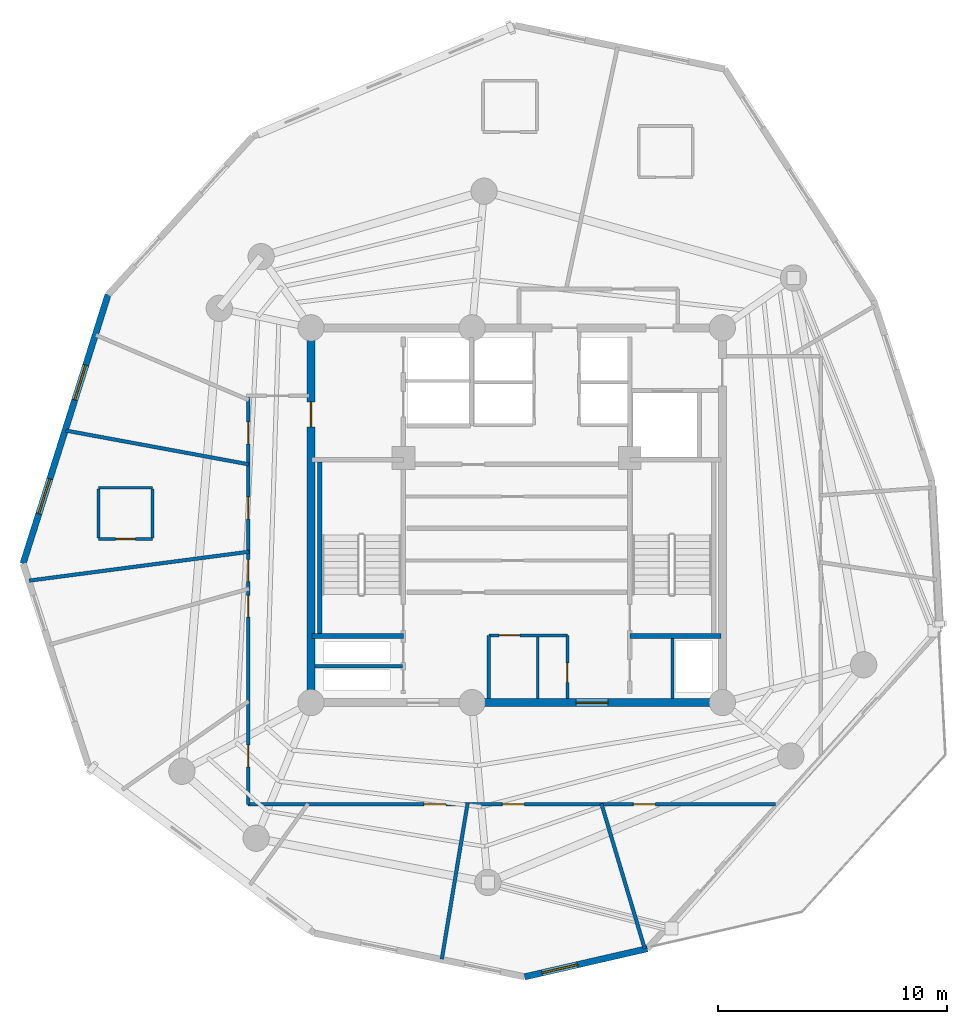
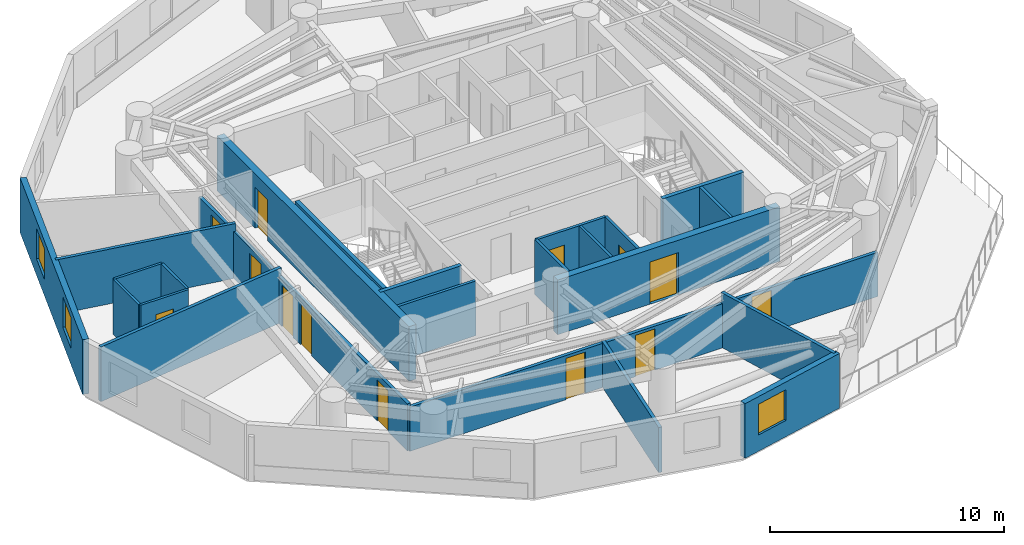
# One storey, part 3 of 9: 23 walls, 13 doors, 3 windows, 16 openings.
"""IFC4 building model written with IfcOpenShell, lengths in metres."""

from ifc_helpers import new_model, si_unit, direction, frame, frame_2d, origin, origin_with_axes, place, context, subcontext, project, spatial, rectangle, extrude, source, transform, mapped, material, layer, layer_set, type_object, element, fill, save


model = new_model("IFC4")

# Units and contexts
model_context = context("Model", 3, precision=1e-05, world=origin(), true_north=direction((0.0, 1.0)))
body_context = subcontext(model_context, "Body", "Model", "MODEL_VIEW")
ifc_project = project(units=[si_unit("LENGTHUNIT", "METRE"), si_unit("AREAUNIT", "SQUARE_METRE"), si_unit("VOLUMEUNIT", "CUBIC_METRE"), si_unit("PLANEANGLEUNIT", "RADIAN"), si_unit("MASSUNIT", "GRAM", prefix="KILO")], contexts=[model_context])

# Site, building, storey
site_placement = place(None, origin())
site = spatial("IfcSite", under=ifc_project, at=site_placement, CompositionType="ELEMENT")
building_placement = place(site_placement, origin())
building = spatial("IfcBuilding", under=site, at=building_placement, Name="Karkom Vertical University and Central Library", CompositionType="ELEMENT")
storey_placement = place(building_placement, frame((0.0, 0.0, 232.14990234375)))
storey = spatial("IfcBuildingStorey", under=building, at=storey_placement, Name="L68", CompositionType="ELEMENT", Elevation=232.14990234375)

# Wall, opening, window
ifc_material_1 = material(Name="Brick-faced precast concrete C45/55", Category="masonry")
ifc_layer_1 = layer(ifc_material_1, 0.280029296875)
ifc_layer_set_1 = layer_set([ifc_layer_1], Name="Brick-faced precast concrete C45/55")
wall_type_1 = type_object("IfcWallType", Name="ENV-WL-BRK-280", PredefinedType="SOLIDWALL", material=ifc_layer_set_1)
wall_1_placement = place(storey_placement, frame((28.848388671875, 6.30029296875, 0.0), z_axis=(0.0, 0.0, 1.0), x_axis=(0.974640780673, 0.223775219023, 0.0)))
wall_1 = element("IfcWall", 1, at=wall_1_placement, inside=storey, type_object=wall_type_1, Name="Level 68 Brick-Faced Precast Facade Wall 03", PredefinedType="SOLIDWALL", context=body_context, shape_type="SweptSolid", body=[
    extrude(rectangle(XDim=5.509521484375, YDim=0.280029296875, at=frame_2d((2.7548828125, 0.0))), origin(), (0.0, 0.0, 1.0), 2.85009765625),
])
opening_1_placement = place(wall_1_placement, frame((0.776611328125, 0.0, 0.85009765625)))
opening_1 = element("IfcOpeningElement", 2, at=opening_1_placement, cuts=wall_1, Name="Opening WN-10", PredefinedType="OPENING", context=body_context, shape_type="SweptSolid", body=[
    extrude(rectangle(XDim=1.60009765625, YDim=1.60009765625, at=frame_2d((0.800048828125, 0.800048828125))), frame((0.0, 0.14990234375, 0.0), z_axis=(0.0, -1.0, 0.0), x_axis=(1.0, 0.0, 0.0)), (0.0, 0.0, 1.0), 0.300048828125),
])
ifc_material_2 = material(Name="Aluminium thermal-break frame with solar-control IGU", Category="aluminium")
window_type = type_object("IfcWindowType", Name="ENV-WIN-WN-10", PartitioningType="SINGLE_PANEL", PredefinedType="WINDOW", material=ifc_material_2)
shared_shape_1 = source(origin_with_axes(), body_context, "Body", "SweptSolid", [
    extrude(rectangle(XDim=1.60009765625, YDim=1.60009765625, at=frame_2d((0.800048828125, 0.800048828125))), frame((0.0, 0.030029296875, 0.0), z_axis=(0.0, -1.0, 0.0), x_axis=(1.0, 0.0, 0.0)), (0.0, 0.0, 1.0), 0.06005859375),
])
window_1_placement = place(opening_1_placement, origin())
window_1 = element("IfcWindow", 3, at=window_1_placement, inside=storey, type_object=window_type, Name="Level 68 Punched Window 3.1", OverallHeight=1.60009765625, OverallWidth=1.60009765625, PartitioningType="SINGLE_PANEL", PredefinedType="WINDOW", context=body_context, shape_type="MappedRepresentation", body=[
    mapped(shared_shape_1, transform((0.0, 0.0, 0.0), scale=1.0)),
])
fill(opening_1, window_1)

# Wall, openings, windows
wall_2_placement = place(storey_placement, frame((10.62060546875, 36.152099609375, 0.0), z_axis=(0.0, 0.0, 1.0), x_axis=(-0.301293253661, -0.953531528214, 0.0)))
wall_2 = element("IfcWall", 4, at=wall_2_placement, inside=storey, type_object=wall_type_1, Name="Level 68 Brick-Faced Precast Facade Wall 11", PredefinedType="SOLIDWALL", context=body_context, shape_type="SweptSolid", body=[
    extrude(rectangle(XDim=12.341796875, YDim=0.280029296875, at=frame_2d((6.1708984375, 0.0))), origin(), (0.0, 0.0, 1.0), 2.85009765625),
])
opening_2_placement = place(wall_2_placement, frame((3.2392578125, 0.0, 0.85009765625)))
opening_2 = element("IfcOpeningElement", 5, at=opening_2_placement, cuts=wall_2, Name="Opening WN-10", PredefinedType="OPENING", context=body_context, shape_type="SweptSolid", body=[
    extrude(rectangle(XDim=1.60009765625, YDim=1.60009765625, at=frame_2d((0.800048828125, 0.800048828125))), frame((0.0, 0.14990234375, 0.0), z_axis=(0.0, -1.0, 0.0), x_axis=(1.0, 0.0, 0.0)), (0.0, 0.0, 1.0), 0.300048828125),
])
opening_3_placement = place(wall_2_placement, frame((8.45361328125, 0.0, 0.85009765625)))
opening_3 = element("IfcOpeningElement", 6, at=opening_3_placement, cuts=wall_2, Name="Opening WN-10", PredefinedType="OPENING", context=body_context, shape_type="SweptSolid", body=[
    extrude(rectangle(XDim=1.60009765625, YDim=1.60009765625, at=frame_2d((0.800048828125, 0.800048828125))), frame((0.0, 0.14990234375, 0.0), z_axis=(0.0, -1.0, 0.0), x_axis=(1.0, 0.0, 0.0)), (0.0, 0.0, 1.0), 0.300048828125),
])
window_2_placement = place(opening_2_placement, origin())
window_2 = element("IfcWindow", 7, at=window_2_placement, inside=storey, type_object=window_type, Name="Level 68 Punched Window 11.1", OverallHeight=1.60009765625, OverallWidth=1.60009765625, PartitioningType="SINGLE_PANEL", PredefinedType="WINDOW", context=body_context, shape_type="MappedRepresentation", body=[
    mapped(shared_shape_1, transform((0.0, 0.0, 0.0), scale=1.0)),
])
fill(opening_2, window_2)
window_3_placement = place(opening_3_placement, origin())
window_3 = element("IfcWindow", 8, at=window_3_placement, inside=storey, type_object=window_type, Name="Level 68 Punched Window 11.2", OverallHeight=1.60009765625, OverallWidth=1.60009765625, PartitioningType="SINGLE_PANEL", PredefinedType="WINDOW", context=body_context, shape_type="MappedRepresentation", body=[
    mapped(shared_shape_1, transform((0.0, 0.0, 0.0), scale=1.0)),
])
fill(opening_3, window_3)

# Wall, openings, doors
ifc_material_3 = material(Name="Insulated metal-stud drywall 160mm", Category="gypsum")
ifc_layer_2 = layer(ifc_material_3, 0.159912109375)
ifc_layer_set_2 = layer_set([ifc_layer_2], Name="Insulated metal-stud drywall 160mm")
wall_type_2 = type_object("IfcWallType", Name="INT-WL-COR-160", PredefinedType="PARTITIONING", material=ifc_layer_set_2)
wall_3_placement = place(storey_placement, frame((39.81982421875, 13.85009765625, 0.0), z_axis=(0.0, 0.0, 1.0), x_axis=(-1.0, 0.0, 0.0)))
wall_3 = element("IfcWall", 9, at=wall_3_placement, inside=storey, type_object=wall_type_2, Name="Level 68 Interior Partition Wall L68-CORW-CW-001", PredefinedType="PARTITIONING", context=body_context, shape_type="SweptSolid", body=[
    extrude(rectangle(XDim=23.06982421875, YDim=0.159912109375, at=frame_2d((11.534912109375, 0.0))), origin(), (0.0, 0.0, 1.0), 2.300048828125),
])
opening_4_placement = place(wall_3_placement, frame((14.422607421875, 0.0, 0.0)))
opening_4 = element("IfcOpeningElement", 10, at=opening_4_placement, cuts=wall_3, Name="Opening FD-RM2", PredefinedType="OPENING", context=body_context, shape_type="SweptSolid", body=[
    extrude(rectangle(XDim=0.9599609375, YDim=2.14990234375, at=frame_2d((0.47998046875, 1.074951171875))), frame((0.0, 0.08984375, 0.0), z_axis=(0.0, -1.0, 0.0), x_axis=(1.0, 0.0, 0.0)), (0.0, 0.0, 1.0), 0.179931640625),
])
opening_5_placement = place(wall_3_placement, frame((10.984619140625, 0.0, 0.0)))
opening_5 = element("IfcOpeningElement", 11, at=opening_5_placement, cuts=wall_3, Name="Opening FD-RM2", PredefinedType="OPENING", context=body_context, shape_type="SweptSolid", body=[
    extrude(rectangle(XDim=0.9599609375, YDim=2.14990234375, at=frame_2d((0.47998046875, 1.074951171875))), frame((0.0, 0.08984375, 0.0), z_axis=(0.0, -1.0, 0.0), x_axis=(1.0, 0.0, 0.0)), (0.0, 0.0, 1.0), 0.179931640625),
])
opening_6_placement = place(wall_3_placement, frame((5.2548828125, 0.0, 0.0)))
opening_6 = element("IfcOpeningElement", 12, at=opening_6_placement, cuts=wall_3, Name="Opening FD-RM2", PredefinedType="OPENING", context=body_context, shape_type="SweptSolid", body=[
    extrude(rectangle(XDim=0.9599609375, YDim=2.14990234375, at=frame_2d((0.47998046875, 1.074951171875))), frame((0.0, 0.08984375, 0.0), z_axis=(0.0, -1.0, 0.0), x_axis=(1.0, 0.0, 0.0)), (0.0, 0.0, 1.0), 0.179931640625),
])
ifc_material_4 = material(Name="Fire-rated oak veneer door", Category="wood")
door_type_1 = type_object("IfcDoorType", Name="INT-DR-FRM2", OperationType="NOTDEFINED", PredefinedType="DOOR", material=ifc_material_4)
shared_shape_2 = source(origin_with_axes(), body_context, "Body", "SweptSolid", [
    extrude(rectangle(XDim=0.9599609375, YDim=2.14990234375, at=frame_2d((0.47998046875, 1.074951171875))), frame((0.0, 0.02490234375, 0.0), z_axis=(0.0, -1.0, 0.0), x_axis=(1.0, 0.0, 0.0)), (0.0, 0.0, 1.0), 0.050048828125),
])
door_1_placement = place(opening_4_placement, origin())
door_1 = element("IfcDoor", 13, at=door_1_placement, inside=storey, type_object=door_type_1, Name="Level 68 Room Entry Door 303", OperationType="SINGLE_SWING_LEFT", OverallHeight=2.14990234375, OverallWidth=0.9599609375, PredefinedType="DOOR", context=body_context, shape_type="MappedRepresentation", body=[
    mapped(shared_shape_2, transform((0.0, 0.0, 0.0), scale=1.0)),
])
fill(opening_4, door_1)
door_2_placement = place(opening_5_placement, origin())
door_2 = element("IfcDoor", 14, at=door_2_placement, inside=storey, type_object=door_type_1, Name="Level 68 Room Entry Door 304", OperationType="SINGLE_SWING_RIGHT", OverallHeight=2.14990234375, OverallWidth=0.9599609375, PredefinedType="DOOR", context=body_context, shape_type="MappedRepresentation", body=[
    mapped(shared_shape_2, transform((0.0, 0.0, 0.0), scale=1.0)),
])
fill(opening_5, door_2)
door_3_placement = place(opening_6_placement, origin())
door_3 = element("IfcDoor", 15, at=door_3_placement, inside=storey, type_object=door_type_1, Name="Level 68 Room Entry Door 305", OperationType="SINGLE_SWING_LEFT", OverallHeight=2.14990234375, OverallWidth=0.9599609375, PredefinedType="DOOR", context=body_context, shape_type="MappedRepresentation", body=[
    mapped(shared_shape_2, transform((0.0, 0.0, 0.0), scale=1.0)),
])
fill(opening_6, door_3)

wall_4_placement = place(storey_placement, frame((16.75, 13.85009765625, 0.0), z_axis=(0.0, 0.0, 1.0), x_axis=(0.0, 1.0, 0.0)))
wall_4 = element("IfcWall", 16, at=wall_4_placement, inside=storey, type_object=wall_type_2, Name="Level 68 Interior Partition Wall L68-CORW-CW-002", PredefinedType="PARTITIONING", context=body_context, shape_type="SweptSolid", body=[
    extrude(rectangle(XDim=17.7998046875, YDim=0.159912109375, at=frame_2d((8.89990234375, 0.0))), origin(), (0.0, 0.0, 1.0), 2.4501953125),
])
opening_7_placement = place(wall_4_placement, frame((12.489501953125, 0.0, 0.0)))
opening_7 = element("IfcOpeningElement", 17, at=opening_7_placement, cuts=wall_4, Name="Opening FD-RM2", PredefinedType="OPENING", context=body_context, shape_type="SweptSolid", body=[
    extrude(rectangle(XDim=0.9599609375, YDim=2.14990234375, at=frame_2d((0.47998046875, 1.074951171875))), frame((0.0, 0.08984375, 0.0), z_axis=(0.0, -1.0, 0.0), x_axis=(1.0, 0.0, 0.0)), (0.0, 0.0, 1.0), 0.179931640625),
])
opening_8_placement = place(wall_4_placement, frame((9.7412109375, 0.0, 0.0)))
opening_8 = element("IfcOpeningElement", 18, at=opening_8_placement, cuts=wall_4, Name="Opening FD-RM2", PredefinedType="OPENING", context=body_context, shape_type="SweptSolid", body=[
    extrude(rectangle(XDim=0.9599609375, YDim=2.14990234375, at=frame_2d((0.47998046875, 1.074951171875))), frame((0.0, 0.08984375, 0.0), z_axis=(0.0, -1.0, 0.0), x_axis=(1.0, 0.0, 0.0)), (0.0, 0.0, 1.0), 0.179931640625),
])
opening_9_placement = place(wall_4_placement, frame((8.18505859375, 0.0, 0.0)))
opening_9 = element("IfcOpeningElement", 19, at=opening_9_placement, cuts=wall_4, Name="Opening FD-RM2", PredefinedType="OPENING", context=body_context, shape_type="SweptSolid", body=[
    extrude(rectangle(XDim=0.9599609375, YDim=2.14990234375, at=frame_2d((0.47998046875, 1.074951171875))), frame((0.0, 0.08984375, 0.0), z_axis=(0.0, -1.0, 0.0), x_axis=(1.0, 0.0, 0.0)), (0.0, 0.0, 1.0), 0.179931640625),
])
opening_10_placement = place(wall_4_placement, frame((1.630615234375, 0.0, 0.0)))
opening_10 = element("IfcOpeningElement", 20, at=opening_10_placement, cuts=wall_4, Name="Opening FD-RM2", PredefinedType="OPENING", context=body_context, shape_type="SweptSolid", body=[
    extrude(rectangle(XDim=0.9599609375, YDim=2.14990234375, at=frame_2d((0.47998046875, 1.074951171875))), frame((0.0, 0.08984375, 0.0), z_axis=(0.0, -1.0, 0.0), x_axis=(1.0, 0.0, 0.0)), (0.0, 0.0, 1.0), 0.179931640625),
])
opening_11_placement = place(wall_4_placement, frame((15.775634765625, 0.0, 0.0)))
opening_11 = element("IfcOpeningElement", 21, at=opening_11_placement, cuts=wall_4, Name="Opening FD-RM2", PredefinedType="OPENING", context=body_context, shape_type="SweptSolid", body=[
    extrude(rectangle(XDim=0.9599609375, YDim=2.14990234375, at=frame_2d((0.47998046875, 1.074951171875))), frame((0.0, 0.08984375, 0.0), z_axis=(0.0, -1.0, 0.0), x_axis=(1.0, 0.0, 0.0)), (0.0, 0.0, 1.0), 0.179931640625),
])
door_4_placement = place(opening_7_placement, origin())
door_4 = element("IfcDoor", 22, at=door_4_placement, inside=storey, type_object=door_type_1, Name="Level 68 Room Entry Door 424", OperationType="SINGLE_SWING_LEFT", OverallHeight=2.14990234375, OverallWidth=0.9599609375, PredefinedType="DOOR", context=body_context, shape_type="MappedRepresentation", body=[
    mapped(shared_shape_2, transform((0.0, 0.0, 0.0), scale=1.0)),
])
fill(opening_7, door_4)
door_5_placement = place(opening_8_placement, origin())
door_5 = element("IfcDoor", 23, at=door_5_placement, inside=storey, type_object=door_type_1, Name="Level 68 Room Entry Door 300", OperationType="SINGLE_SWING_RIGHT", OverallHeight=2.14990234375, OverallWidth=0.9599609375, PredefinedType="DOOR", context=body_context, shape_type="MappedRepresentation", body=[
    mapped(shared_shape_2, transform((0.0, 0.0, 0.0), scale=1.0)),
])
fill(opening_8, door_5)
door_6_placement = place(opening_9_placement, origin())
door_6 = element("IfcDoor", 24, at=door_6_placement, inside=storey, type_object=door_type_1, Name="Level 68 Room Entry Door 301", OperationType="SINGLE_SWING_LEFT", OverallHeight=2.14990234375, OverallWidth=0.9599609375, PredefinedType="DOOR", context=body_context, shape_type="MappedRepresentation", body=[
    mapped(shared_shape_2, transform((0.0, 0.0, 0.0), scale=1.0)),
])
fill(opening_9, door_6)
door_7_placement = place(opening_10_placement, origin())
door_7 = element("IfcDoor", 25, at=door_7_placement, inside=storey, type_object=door_type_1, Name="Level 68 Room Entry Door 302", OperationType="SINGLE_SWING_RIGHT", OverallHeight=2.14990234375, OverallWidth=0.9599609375, PredefinedType="DOOR", context=body_context, shape_type="MappedRepresentation", body=[
    mapped(shared_shape_2, transform((0.0, 0.0, 0.0), scale=1.0)),
])
fill(opening_10, door_7)
door_8_placement = place(opening_11_placement, origin())
door_8 = element("IfcDoor", 26, at=door_8_placement, inside=storey, type_object=door_type_1, Name="Level 68 Room Entry Door 311", OperationType="SINGLE_SWING_LEFT", OverallHeight=2.14990234375, OverallWidth=0.9599609375, PredefinedType="DOOR", context=body_context, shape_type="MappedRepresentation", body=[
    mapped(shared_shape_2, transform((0.0, 0.0, 0.0), scale=1.0)),
])
fill(opening_11, door_8)

# Walls
wall_5_placement = place(storey_placement, frame((7.171142578125, 23.63671875, 0.0), z_axis=(0.0, 0.0, 1.0), x_axis=(0.991475685251, 0.130291847623, 0.0)))
element("IfcWall", 27, at=wall_5_placement, inside=storey, type_object=wall_type_2, Name="Level 68 Interior Partition Wall L68-PW-002", PredefinedType="PARTITIONING", context=body_context, shape_type="SweptSolid", body=[
    extrude(rectangle(XDim=9.706298828125, YDim=0.159912109375, at=frame_2d((4.85302734375, 0.0))), origin(), (0.0, 0.0, 1.0), 2.85009765625),
])
wall_6_placement = place(storey_placement, frame((16.779541015625, 28.724853515625, 0.0), z_axis=(0.0, 0.0, 1.0), x_axis=(-0.983383991092, 0.181537671198, 0.0)))
element("IfcWall", 28, at=wall_6_placement, inside=storey, type_object=wall_type_2, Name="Level 68 Interior Partition Wall L68-PW-013", PredefinedType="PARTITIONING", context=body_context, shape_type="SweptSolid", body=[
    extrude(rectangle(XDim=8.14697265625, YDim=0.159912109375, at=frame_2d((4.073486328125, 0.0))), origin(), (0.0, 0.0, 1.0), 2.85009765625),
])
wall_7_placement = place(storey_placement, frame((26.352783203125, 13.894287109375, 0.0), z_axis=(0.0, 0.0, 1.0), x_axis=(-0.163241458386, -0.986586147411, 0.0)))
element("IfcWall", 29, at=wall_7_placement, inside=storey, type_object=wall_type_2, Name="Level 68 Interior Partition Wall L68-PW-006", PredefinedType="PARTITIONING", context=body_context, shape_type="SweptSolid", body=[
    extrude(rectangle(XDim=6.90966796875, YDim=0.159912109375, at=frame_2d((3.454833984375, 0.0))), origin(), (0.0, 0.0, 1.0), 2.35009765625),
])
wall_8_placement = place(storey_placement, frame((32.207763671875, 13.878662109375, 0.0), z_axis=(0.0, 0.0, 1.0), x_axis=(0.286235061686, -0.958159427998, 0.0)))
element("IfcWall", 30, at=wall_8_placement, inside=storey, type_object=wall_type_2, Name="Level 68 Interior Partition Wall L68-PW-007", PredefinedType="PARTITIONING", context=body_context, shape_type="SweptSolid", body=[
    extrude(rectangle(XDim=6.623046875, YDim=0.159912109375, at=frame_2d((3.3115234375, 0.0))), origin(), (0.0, 0.0, 1.0), 2.85009765625),
])
ifc_material_5 = material(Name="Moisture-resistant drywall 120mm", Category="gypsum")
ifc_layer_3 = layer(ifc_material_5, 0.1201171875)
ifc_layer_set_3 = layer_set([ifc_layer_3], Name="Moisture-resistant drywall 120mm")
wall_type_3 = type_object("IfcWallType", Name="INT-WL-INT-120", PredefinedType="PARTITIONING", material=ifc_layer_set_3)
wall_9_placement = place(storey_placement, frame((29.419921875, 18.48193359375, 0.0), z_axis=(0.0, 0.0, 1.0), x_axis=(0.0, 1.0, 0.0)))
element("IfcWall", 31, at=wall_9_placement, inside=storey, type_object=wall_type_3, Name="Level 68 Interior Partition Wall L68-CW-K3-DIV", PredefinedType="PARTITIONING", context=body_context, shape_type="SweptSolid", body=[
    extrude(rectangle(XDim=2.687255859375, YDim=0.1201171875, at=frame_2d((1.34375, 0.0))), origin(), (0.0, 0.0, 1.0), 2.85009765625),
])

# Wall, opening, door
ifc_layer_4 = layer(ifc_material_5, 0.1201171875)
ifc_layer_set_4 = layer_set([ifc_layer_4], Name="Moisture-resistant drywall 120mm")
wall_type_4 = type_object("IfcWallType", Name="INT-WL-INT-120F", PredefinedType="PARTITIONING", material=ifc_layer_set_4)
wall_10_placement = place(storey_placement, frame((10.2060546875, 25.45703125, 0.0), z_axis=(0.0, 0.0, 1.0), x_axis=(1.0, 0.0, 0.0)))
wall_10 = element("IfcWall", 32, at=wall_10_placement, inside=storey, type_object=wall_type_4, Name="Level 68 Interior Partition Wall L68-ENS-52-S", PredefinedType="PARTITIONING", context=body_context, shape_type="SweptSolid", body=[
    extrude(rectangle(XDim=2.35986328125, YDim=0.1201171875, at=frame_2d((1.179931640625, 0.0))), origin(), (0.0, 0.0, 1.0), 2.85009765625),
])
opening_12_placement = place(wall_10_placement, frame((0.75, 0.0, 0.0)))
opening_12 = element("IfcOpeningElement", 33, at=opening_12_placement, cuts=wall_10, Name="Opening D-BATH", PredefinedType="OPENING", context=body_context, shape_type="SweptSolid", body=[
    extrude(rectangle(XDim=0.860107421875, YDim=2.10009765625, at=frame_2d((0.43017578125, 1.050048828125))), frame((0.0, 0.070068359375, 0.0), z_axis=(0.0, -1.0, 0.0), x_axis=(1.0, 0.0, 0.0)), (0.0, 0.0, 1.0), 0.14013671875),
])
ifc_material_6 = material(Name="Moisture-resistant oak door", Category="wood")
door_type_2 = type_object("IfcDoorType", Name="INT-DR-BATH", OperationType="NOTDEFINED", PredefinedType="DOOR", material=ifc_material_6)
shared_shape_3 = source(origin_with_axes(), body_context, "Body", "SweptSolid", [
    extrude(rectangle(XDim=0.860107421875, YDim=2.10009765625, at=frame_2d((0.43017578125, 1.050048828125))), frame((0.0, 0.02490234375, 0.0), z_axis=(0.0, -1.0, 0.0), x_axis=(1.0, 0.0, 0.0)), (0.0, 0.0, 1.0), 0.050048828125),
])
door_9_placement = place(opening_12_placement, origin())
door_9 = element("IfcDoor", 34, at=door_9_placement, inside=storey, type_object=door_type_2, Name="Level 68 En-Suite Bathroom Door 52", OperationType="SINGLE_SWING_RIGHT", OverallHeight=2.10009765625, OverallWidth=0.860107421875, PredefinedType="DOOR", context=body_context, shape_type="MappedRepresentation", body=[
    mapped(shared_shape_3, transform((0.0, 0.0, 0.0), scale=1.0)),
])
fill(opening_12, door_9)

# Walls
wall_11_placement = place(storey_placement, frame((12.56591796875, 27.697021484375, 0.0), z_axis=(0.0, 0.0, 1.0), x_axis=(-1.0, 0.0, 0.0)))
element("IfcWall", 35, at=wall_11_placement, inside=storey, type_object=wall_type_4, Name="Level 68 Interior Partition Wall L68-ENS-52-N", PredefinedType="PARTITIONING", context=body_context, shape_type="SweptSolid", body=[
    extrude(rectangle(XDim=2.35986328125, YDim=0.1201171875, at=frame_2d((1.179931640625, 0.0))), origin(), (0.0, 0.0, 1.0), 2.85009765625),
])
for number, where, z_axis, x_axis, name in (
    (36, (12.56591796875, 25.507080078125, 0.0), (0.0, 0.0, 1.0), (0.0, 1.0, 0.0), "Level 68 Interior Partition Wall L68-ENS-52-E"),
    (37, (10.2060546875, 27.64697265625, 0.0), (0.0, 0.0, 1.0), (0.0, -1.0, 0.0), "Level 68 Interior Partition Wall L68-ENS-52-W"),
):
    element("IfcWall", number, at=place(storey_placement, frame(where, z_axis=z_axis, x_axis=x_axis)), inside=storey, type_object=wall_type_4, Name=name, PredefinedType="PARTITIONING", context=body_context, shape_type="SweptSolid", body=[
        extrude(rectangle(XDim=2.139892578125, YDim=0.1201171875, at=frame_2d((1.06982421875, 0.0))), origin(), (0.0, 0.0, 1.0), 2.85009765625),
    ])

# Wall, opening, door
ifc_material_7 = material(Name="Metal-stud gypsum partition 140mm", Category="gypsum")
ifc_layer_5 = layer(ifc_material_7, 0.139892578125)
ifc_layer_set_5 = layer_set([ifc_layer_5], Name="Metal-stud gypsum partition 140mm")
wall_type_5 = type_object("IfcWallType", Name="INT-WL-SUB-140", PredefinedType="PARTITIONING", material=ifc_layer_set_5)
wall_12_placement = place(storey_placement, frame((27.280029296875, 21.239990234375, 0.0), z_axis=(0.0, 0.0, 1.0), x_axis=(1.0, 0.0, 0.0)))
wall_12 = element("IfcWall", 38, at=wall_12_placement, inside=storey, type_object=wall_type_5, Name="Level 68 Interior Partition Wall L68-CW-KBAY-N", PredefinedType="PARTITIONING", context=body_context, shape_type="SweptSolid", body=[
    extrude(rectangle(XDim=3.43994140625, YDim=0.139892578125, at=frame_2d((1.719970703125, 0.0))), origin(), (0.0, 0.0, 1.0), 2.85009765625),
])
opening_13_placement = place(wall_12_placement, frame((0.449951171875, 0.0, 0.0)))
opening_13 = element("IfcOpeningElement", 39, at=opening_13_placement, cuts=wall_12, Name="Opening D-SVC1", PredefinedType="OPENING", context=body_context, shape_type="SweptSolid", body=[
    extrude(rectangle(XDim=0.919921875, YDim=2.10009765625, at=frame_2d((0.4599609375, 1.050048828125))), frame((0.0, 0.080078125, 0.0), z_axis=(0.0, -1.0, 0.0), x_axis=(1.0, 0.0, 0.0)), (0.0, 0.0, 1.0), 0.159912109375),
])
ifc_material_8 = material(Name="Painted timber service door", Category="wood")
door_type_3 = type_object("IfcDoorType", Name="INT-DR-SVC1", OperationType="NOTDEFINED", PredefinedType="DOOR", material=ifc_material_8)
shared_shape_4 = source(origin_with_axes(), body_context, "Body", "SweptSolid", [
    extrude(rectangle(XDim=0.919921875, YDim=2.10009765625, at=frame_2d((0.4599609375, 1.050048828125))), frame((0.0, 0.02490234375, 0.0), z_axis=(0.0, -1.0, 0.0), x_axis=(1.0, 0.0, 0.0)), (0.0, 0.0, 1.0), 0.050048828125),
])
door_10_placement = place(opening_13_placement, origin())
door_10 = element("IfcDoor", 40, at=door_10_placement, inside=storey, type_object=door_type_3, Name="Level 68 Copy Room Door", OperationType="SINGLE_SWING_LEFT", OverallHeight=2.10009765625, OverallWidth=0.919921875, PredefinedType="DOOR", context=body_context, shape_type="MappedRepresentation", body=[
    mapped(shared_shape_4, transform((0.0, 0.0, 0.0), scale=1.0)),
])
fill(opening_13, door_10)

# Wall
wall_13_placement = place(storey_placement, frame((27.280029296875, 18.48193359375, 0.0), z_axis=(0.0, 0.0, 1.0), x_axis=(0.0, 1.0, 0.0)))
element("IfcWall", 41, at=wall_13_placement, inside=storey, type_object=wall_type_5, Name="Level 68 Interior Partition Wall L68-CW-KBAY-W", PredefinedType="PARTITIONING", context=body_context, shape_type="SweptSolid", body=[
    extrude(rectangle(XDim=2.758056640625, YDim=0.139892578125, at=frame_2d((1.37890625, 0.0))), origin(), (0.0, 0.0, 1.0), 2.85009765625),
])

# Wall, opening, door
wall_14_placement = place(storey_placement, frame((30.719970703125, 18.48193359375, 0.0), z_axis=(0.0, 0.0, 1.0), x_axis=(0.0, 1.0, 0.0)))
wall_14 = element("IfcWall", 42, at=wall_14_placement, inside=storey, type_object=wall_type_5, Name="Level 68 Interior Partition Wall L68-CW-KBAY-E", PredefinedType="PARTITIONING", context=body_context, shape_type="SweptSolid", body=[
    extrude(rectangle(XDim=2.758056640625, YDim=0.139892578125, at=frame_2d((1.37890625, 0.0))), origin(), (0.0, 0.0, 1.0), 2.85009765625),
])
opening_14_placement = place(wall_14_placement, frame((0.699951171875, 0.0, 0.0)))
opening_14 = element("IfcOpeningElement", 43, at=opening_14_placement, cuts=wall_14, Name="Opening D-BATH", PredefinedType="OPENING", context=body_context, shape_type="SweptSolid", body=[
    extrude(rectangle(XDim=0.860107421875, YDim=2.10009765625, at=frame_2d((0.43017578125, 1.050048828125))), frame((0.0, 0.080078125, 0.0), z_axis=(0.0, -1.0, 0.0), x_axis=(1.0, 0.0, 0.0)), (0.0, 0.0, 1.0), 0.159912109375),
])
door_11_placement = place(opening_14_placement, origin())
door_11 = element("IfcDoor", 44, at=door_11_placement, inside=storey, type_object=door_type_2, Name="Level 68 Janitor Door", OperationType="SINGLE_SWING_RIGHT", OverallHeight=2.10009765625, OverallWidth=0.860107421875, PredefinedType="DOOR", context=body_context, shape_type="MappedRepresentation", body=[
    mapped(shared_shape_3, transform((0.0, 0.0, 0.0), scale=1.0)),
])
fill(opening_14, door_11)

# Walls
ifc_layer_6 = layer(ifc_material_7, 0.139892578125)
ifc_layer_set_6 = layer_set([ifc_layer_6], Name="Metal-stud gypsum partition 140mm")
wall_type_6 = type_object("IfcWallType", Name="INT-WL-SUB-140H", PredefinedType="PARTITIONING", material=ifc_layer_set_6)
wall_15_placement = place(storey_placement, frame((19.681884765625, 19.889892578125, 0.0), z_axis=(0.0, 0.0, 1.0), x_axis=(1.0, 0.0, 0.0)))
element("IfcWall", 45, at=wall_15_placement, inside=storey, type_object=wall_type_6, Name="Level 68 Interior Partition Wall L68-CW-RIS-W", PredefinedType="PARTITIONING", context=body_context, shape_type="SweptSolid", body=[
    extrude(rectangle(XDim=3.8154296875, YDim=0.139892578125, at=frame_2d((1.90771484375, 0.0))), origin(), (0.0, 0.0, 1.0), 2.85009765625),
])
wall_16_placement = place(storey_placement, frame((35.320068359375, 18.48193359375, 0.0), z_axis=(0.0, 0.0, 1.0), x_axis=(0.0, 1.0, 0.0)))
element("IfcWall", 46, at=wall_16_placement, inside=storey, type_object=wall_type_6, Name="Level 68 Interior Partition Wall L68-CW-RIS-E", PredefinedType="PARTITIONING", context=body_context, shape_type="SweptSolid", body=[
    extrude(rectangle(XDim=2.629150390625, YDim=0.139892578125, at=frame_2d((1.314453125, 0.0))), origin(), (0.0, 0.0, 1.0), 2.85009765625),
])

# Wall, opening, door
ifc_material_9 = material(Name="Concrete C45/55", Category="concrete")
ifc_layer_7 = layer(ifc_material_9, 0.35009765625)
ifc_layer_set_7 = layer_set([ifc_layer_7], Name="Concrete C45/55")
wall_type_7 = type_object("IfcWallType", Name="STR-WL-CW-350", PredefinedType="SHEAR", material=ifc_layer_set_7)
wall_17_placement = place(storey_placement, frame((26.550048828125, 18.300048828125, 0.0), z_axis=(0.0, 0.0, 1.0), x_axis=(1.0, 0.0, 0.0)))
wall_17 = element("IfcWall", 47, at=wall_17_placement, inside=storey, type_object=wall_type_7, Name="Level 68 Central Core Shear Wall SW2", PredefinedType="SHEAR", context=body_context, shape_type="SweptSolid", body=[
    extrude(rectangle(XDim=10.949951171875, YDim=0.35009765625, at=frame_2d((5.47509765625, 0.0))), origin(), (0.0, 0.0, 1.0), 2.85009765625),
])
opening_15_placement = place(wall_17_placement, frame((4.550048828125, 0.0, 0.0)))
opening_15 = element("IfcOpeningElement", 48, at=opening_15_placement, cuts=wall_17, Name="Opening FD-CLB", PredefinedType="OPENING", context=body_context, shape_type="SweptSolid", body=[
    extrude(rectangle(XDim=1.39990234375, YDim=2.199951171875, at=frame_2d((0.699951171875, 1.10009765625))), frame((0.0, 0.18505859375, 0.0), z_axis=(0.0, -1.0, 0.0), x_axis=(1.0, 0.0, 0.0)), (0.0, 0.0, 1.0), 0.3701171875),
])
ifc_material_10 = material(Name="Painted steel fire door", Category="steel")
door_type_4 = type_object("IfcDoorType", Name="INT-DR-CLB", OperationType="DOUBLE_DOOR_SINGLE_SWING", PredefinedType="DOOR", material=ifc_material_10)
shared_shape_5 = source(origin_with_axes(), body_context, "Body", "SweptSolid", [
    extrude(rectangle(XDim=1.39990234375, YDim=2.199951171875, at=frame_2d((0.699951171875, 1.10009765625))), frame((0.0, 0.02490234375, 0.0), z_axis=(0.0, -1.0, 0.0), x_axis=(1.0, 0.0, 0.0)), (0.0, 0.0, 1.0), 0.050048828125),
])
door_12_placement = place(opening_15_placement, origin())
door_12 = element("IfcDoor", 49, at=door_12_placement, inside=storey, type_object=door_type_4, Name="Level 68 South Core Lobby East Exit Door", OperationType="DOUBLE_DOOR_SINGLE_SWING", OverallHeight=2.199951171875, OverallWidth=1.39990234375, PredefinedType="DOOR", context=body_context, shape_type="MappedRepresentation", body=[
    mapped(shared_shape_5, transform((0.0, 0.0, 0.0), scale=1.0)),
])
fill(opening_15, door_12)

wall_18_placement = place(storey_placement, frame((19.5, 34.699951171875, 0.0), z_axis=(0.0, 0.0, 1.0), x_axis=(0.0, -1.0, 0.0)))
wall_18 = element("IfcWall", 50, at=wall_18_placement, inside=storey, type_object=wall_type_7, Name="Level 68 Central Core Shear Wall WW", PredefinedType="SHEAR", context=body_context, shape_type="SweptSolid", body=[
    extrude(rectangle(XDim=16.39990234375, YDim=0.35009765625, at=frame_2d((8.199951171875, 0.0))), origin(), (0.0, 0.0, 1.0), 2.85009765625),
])
opening_16_placement = place(wall_18_placement, frame((3.239990234375, 0.0, 0.0)))
opening_16 = element("IfcOpeningElement", 51, at=opening_16_placement, cuts=wall_18, Name="Opening FD-FFL", PredefinedType="OPENING", context=body_context, shape_type="SweptSolid", body=[
    extrude(rectangle(XDim=1.10009765625, YDim=2.14990234375, at=frame_2d((0.550048828125, 1.074951171875))), frame((0.0, 0.18505859375, 0.0), z_axis=(0.0, -1.0, 0.0), x_axis=(1.0, 0.0, 0.0)), (0.0, 0.0, 1.0), 0.3701171875),
])
ifc_material_11 = material(Name="Painted steel smoke-seal fire door", Category="steel")
door_type_5 = type_object("IfcDoorType", Name="INT-DR-FFL", OperationType="NOTDEFINED", PredefinedType="DOOR", material=ifc_material_11)
shared_shape_6 = source(origin_with_axes(), body_context, "Body", "SweptSolid", [
    extrude(rectangle(XDim=1.10009765625, YDim=2.14990234375, at=frame_2d((0.550048828125, 1.074951171875))), frame((0.0, 0.02490234375, 0.0), z_axis=(0.0, -1.0, 0.0), x_axis=(1.0, 0.0, 0.0)), (0.0, 0.0, 1.0), 0.050048828125),
])
door_13_placement = place(opening_16_placement, origin())
door_13 = element("IfcDoor", 52, at=door_13_placement, inside=storey, type_object=door_type_5, Name="Level 68 West Corridor Firefighting Lobby Door", OperationType="SINGLE_SWING_LEFT", OverallHeight=2.14990234375, OverallWidth=1.10009765625, PredefinedType="DOOR", context=body_context, shape_type="MappedRepresentation", body=[
    mapped(shared_shape_6, transform((0.0, 0.0, 0.0), scale=1.0)),
])
fill(opening_16, door_13)

# Walls
ifc_layer_8 = layer(ifc_material_9, 0.199951171875)
ifc_layer_set_8 = layer_set([ifc_layer_8], Name="Concrete C45/55")
wall_type_8 = type_object("IfcWallType", Name="STR-WL-ST-200", PredefinedType="SHEAR", material=ifc_layer_set_8)
wall_19_placement = place(storey_placement, frame((19.875, 21.320068359375, 0.0), z_axis=(0.0, 0.0, 1.0), x_axis=(0.0, 1.0, 0.0)))
element("IfcWall", 53, at=wall_19_placement, inside=storey, type_object=wall_type_8, Name="Level 68 Core Shaft Wall L68-CW-ST1-W", PredefinedType="SHEAR", context=body_context, shape_type="SweptSolid", body=[
    extrude(rectangle(XDim=7.5, YDim=0.199951171875, at=frame_2d((3.75, 0.0))), origin(), (0.0, 0.0, 1.0), 2.85009765625),
])
for number, where, z_axis, x_axis, name in (
    (54, (33.455078125, 21.215087890625, 0.0), (0.0, 0.0, 1.0), (1.0, 0.0, 0.0), "Level 68 Core Shaft Wall L68-CW-ST2-S"),
    (55, (19.550048828125, 21.215087890625, 0.0), (0.0, 0.0, 1.0), (1.0, 0.0, 0.0), "Level 68 Core Shaft Wall L68-CW-ST1-S"),
):
    element("IfcWall", number, at=place(storey_placement, frame(where, z_axis=z_axis, x_axis=x_axis)), inside=storey, type_object=wall_type_8, Name=name, PredefinedType="SHEAR", context=body_context, shape_type="SweptSolid", body=[
        extrude(rectangle(XDim=3.994873046875, YDim=0.199951171875, at=frame_2d((1.99755859375, 0.0))), origin(), (0.0, 0.0, 1.0), 2.85009765625),
    ])

save(model, "model.ifc")
